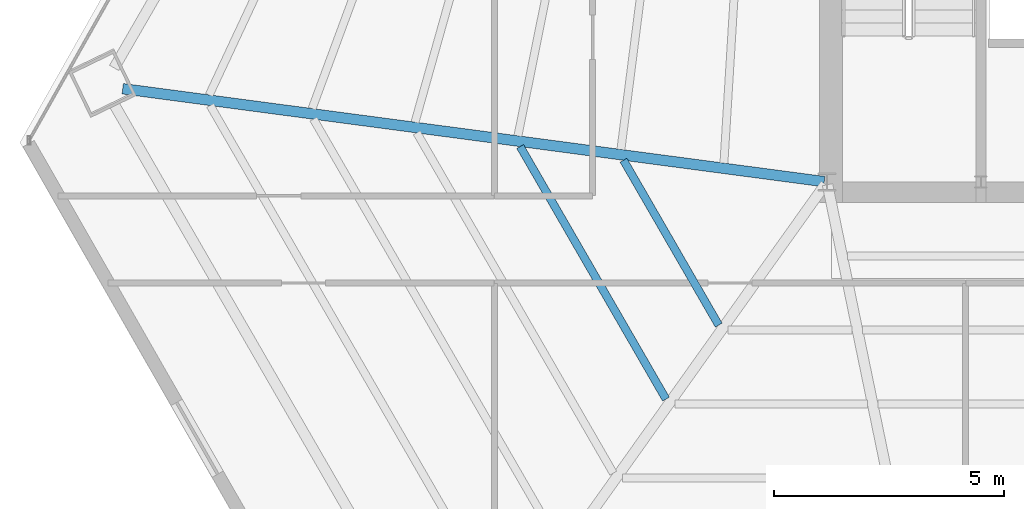
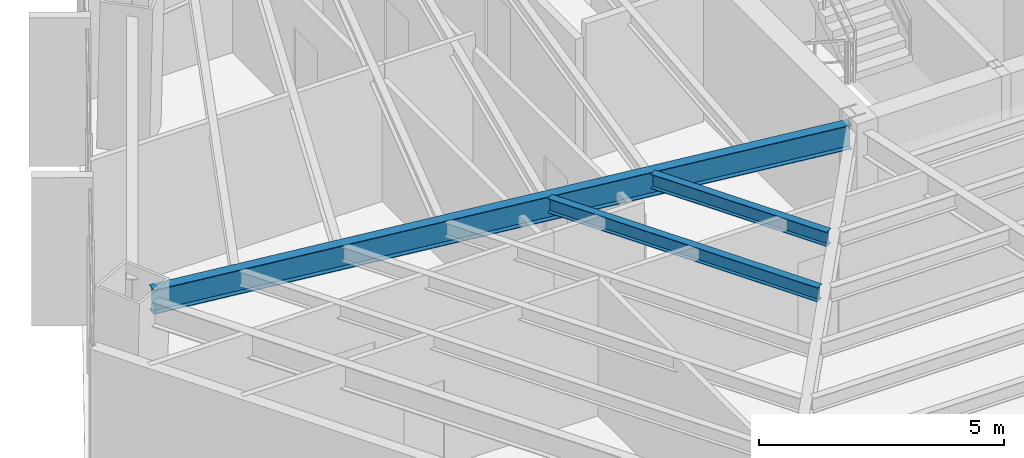
# One storey, part 7 of 35: 3 beams.
"""IFC4 building model written with IfcOpenShell, lengths in metres."""

import ifcopenshell
import ifcopenshell.guid

model = None  # the IFC model being written
_history = None  # IfcOwnerHistory: only IFC2X3 demands one
_inside = {}  # id of a spatial element -> (the spatial element, [elements in it])
_under = {}  # id of a project, library or spatial element -> (it, [spatial elements below it])
_declared = {}  # id of a project -> (the project, [libraries it declares])
_typed = {}  # id of a type object -> (the type object, [elements of that type])
_made_of = {}  # id of a material, layer set ... -> (it, [elements and type objects made of it])


def new_model(schema):
    """Start an empty IFC model of exactly this schema.

    Asked for "IFC4X3", IfcOpenShell would pick the latest addendum, in which some entities
    have other attributes; the version numbers below select the first issue.
    IFC2X3 requires an IfcOwnerHistory on every rooted entity: one is made here for all.
    """
    global model, _history
    if schema == "IFC4X3":
        model = ifcopenshell.file(schema_version=(4, 3, 0, 0))
    else:
        model = ifcopenshell.file(schema=schema)
    _inside.clear()
    _under.clear()
    _declared.clear()
    _typed.clear()
    _made_of.clear()
    _history = None
    if model.schema == "IFC2X3":
        org = make("IfcOrganization", Name="unknown")
        user = make(
            "IfcPersonAndOrganization",
            ThePerson=make("IfcPerson", FamilyName="unknown"),
            TheOrganization=org,
        )
        app = make(
            "IfcApplication",
            ApplicationDeveloper=org,
            Version="unknown",
            ApplicationFullName="unknown",
            ApplicationIdentifier="unknown",
        )
        _history = make(
            "IfcOwnerHistory",
            OwningUser=user,
            OwningApplication=app,
            ChangeAction="ADDED",
            CreationDate=0,
        )
    return model


def make(cls, **values):
    """One entity of the class cls with the attributes given. An attribute that is None is left unset."""
    return model.create_entity(
        cls, **{name: value for name, value in values.items() if value is not None}
    )


def rooted(cls, **values):
    """An entity with a GlobalId (a new one), such as an element, a storey or a relation."""
    return make(cls, GlobalId=ifcopenshell.guid.new(), OwnerHistory=_history, **values)


def si_unit(unit_type, name, prefix=None):
    """IfcSIUnit, for example si_unit("LENGTHUNIT", "METRE", prefix="MILLI")."""
    return make("IfcSIUnit", UnitType=unit_type, Prefix=prefix, Name=name)


def assignment(units):
    """IfcUnitAssignment: the units of a project."""
    return None if units is None else make("IfcUnitAssignment", Units=units)


def point(xyz):
    """IfcCartesianPoint."""
    return None if xyz is None else make("IfcCartesianPoint", Coordinates=xyz)


def direction(xyz):
    """IfcDirection."""
    return None if xyz is None else make("IfcDirection", DirectionRatios=xyz)


def frame(location, z_axis=None, x_axis=None):
    """IfcAxis2Placement3D, a coordinate frame: its origin and axes. An axis left out is left unset."""
    return make(
        "IfcAxis2Placement3D",
        Location=point(location),
        Axis=direction(z_axis),
        RefDirection=direction(x_axis),
    )


def frame_2d(location, x_axis=None):
    """IfcAxis2Placement2D, a coordinate frame in the plane: its origin and x axis."""
    return make(
        "IfcAxis2Placement2D", Location=point(location), RefDirection=direction(x_axis)
    )


def origin():
    """The frame at (0, 0, 0) with its axes left unset."""
    return frame((0.0, 0.0, 0.0))


def origin_2d():
    """The frame at (0, 0) in the plane with its x axis left unset."""
    return frame_2d((0.0, 0.0))


def place(relative_to, where):
    """IfcLocalPlacement: puts the frame where relative to a parent placement (None: the world)."""
    return make(
        "IfcLocalPlacement", PlacementRelTo=relative_to, RelativePlacement=where
    )


def context(
    kind, dimensions, precision=None, world=None, true_north=None, identifier=None
):
    """IfcGeometricRepresentationContext, for example the 3D "Model" context."""
    return make(
        "IfcGeometricRepresentationContext",
        ContextIdentifier=identifier,
        ContextType=kind,
        CoordinateSpaceDimension=dimensions,
        Precision=precision,
        WorldCoordinateSystem=world,
        TrueNorth=true_north,
    )


def subcontext(parent, identifier, kind, view, scale=None):
    """IfcGeometricRepresentationSubContext, for example "Body" below "Model"."""
    return make(
        "IfcGeometricRepresentationSubContext",
        ContextIdentifier=identifier,
        ContextType=kind,
        ParentContext=parent,
        TargetScale=scale,
        TargetView=view,
    )


def project(units=None, contexts=None):
    """IfcProject with its units and contexts."""
    return rooted(
        "IfcProject",
        Name="project",
        RepresentationContexts=contexts,
        UnitsInContext=assignment(units),
    )


def spatial(cls, under=None, at=None, **own):
    """A site, building, storey or space (cls), placed at a placement, below another one or the project."""
    s = rooted(cls, ObjectPlacement=at, **own)
    if under is not None:
        _under.setdefault(under.id(), (under, []))[1].append(s)
    return s


def profile(cls, at=None, kind="AREA", **sizes):
    """A parametric profile (cls). Its sizes go by their IFC names, for example OverallWidth=200.0."""
    return make(cls, ProfileType=kind, Position=at, **sizes)


def i_section(**sizes):
    """IfcIShapeProfileDef."""
    return profile("IfcIShapeProfileDef", **sizes)


def extrude(swept, where, along, depth):
    """IfcExtrudedAreaSolid: the profile swept, set in the frame where, extruded along a direction by depth."""
    return make(
        "IfcExtrudedAreaSolid",
        SweptArea=swept,
        Position=where,
        ExtrudedDirection=direction(along),
        Depth=depth,
    )


def shape(context_of_items, identifier, shape_type, items):
    """IfcShapeRepresentation: the items that make up one representation, for example the "Body"."""
    return make(
        "IfcShapeRepresentation",
        ContextOfItems=context_of_items,
        RepresentationIdentifier=identifier,
        RepresentationType=shape_type,
        Items=items,
    )


def source(mapping_origin, context_of_items, identifier, shape_type, items):
    """IfcRepresentationMap: a shape defined once, which mapped items show again and again."""
    return make(
        "IfcRepresentationMap",
        MappingOrigin=mapping_origin,
        MappedRepresentation=shape(context_of_items, identifier, shape_type, items),
    )


def transform(
    local_origin,
    x_axis=None,
    y_axis=None,
    z_axis=None,
    scale=None,
    scale2=None,
    scale3=None,
    uniform=True,
):
    """IfcCartesianTransformationOperator3D, or its non-uniform kind. x_axis, y_axis, z_axis: its Axis1, 2, 3."""
    if uniform:
        return make(
            "IfcCartesianTransformationOperator3D",
            Axis1=direction(x_axis),
            Axis2=direction(y_axis),
            LocalOrigin=point(local_origin),
            Scale=scale,
            Axis3=direction(z_axis),
        )
    return make(
        "IfcCartesianTransformationOperator3DnonUniform",
        Axis1=direction(x_axis),
        Axis2=direction(y_axis),
        LocalOrigin=point(local_origin),
        Scale=scale,
        Axis3=direction(z_axis),
        Scale2=scale2,
        Scale3=scale3,
    )


def mapped(mapping_source, mapping_target):
    """IfcMappedItem: shows the shape of a source again, moved by a transform."""
    return make(
        "IfcMappedItem", MappingSource=mapping_source, MappingTarget=mapping_target
    )


def material(Name=None, Category=None):
    """IfcMaterial."""
    return make("IfcMaterial", Name=Name, Category=Category)


def material_profile(
    of_material, cross_section, Name=None, Category=None, Priority=None
):
    """IfcMaterialProfile: a cross section and its material."""
    return make(
        "IfcMaterialProfile",
        Name=Name,
        Material=of_material,
        Profile=cross_section,
        Priority=Priority,
        Category=Category,
    )


def profile_set(profiles, Name=None, composite=None):
    """IfcMaterialProfileSet."""
    return make(
        "IfcMaterialProfileSet",
        Name=Name,
        MaterialProfiles=profiles,
        CompositeProfile=composite,
    )


def made_of(thing, what):
    """Note that an element or type object is made of a material, layer set ...; save() writes the relation."""
    if what is not None:
        _made_of.setdefault(what.id(), (what, []))[1].append(thing)
    return thing


def type_object(cls, material=None, **own):
    """A type object (cls), such as IfcWallType, which elements share."""
    return made_of(rooted(cls, **own), material)


def type_shapes(of_type, sources):
    """Give a type object the sources (RepresentationMaps) that its elements show as mapped items."""
    of_type.RepresentationMaps = sources


def element(
    cls,
    number,
    at=None,
    inside=None,
    cuts=None,
    type_object=None,
    material=None,
    context=None,
    identifier="Body",
    shape_type=None,
    held_by="IfcProductDefinitionShape",
    body=None,
    shapes=None,
    **own,
):
    """One element of the class cls, such as IfcWall. Its Tag is "e" and its number.

    at: its placement. inside: the storey or other place that contains it. cuts: it is an
    opening in that element (IfcRelVoidsElement). A single representation is given by context,
    identifier, shape_type and body (its items); several are given by shapes. held_by: the class
    of the entity that holds the representations. save() writes the other relations.
    """
    e = rooted(cls, Tag="e%d" % number, ObjectPlacement=at, **own)
    if body is not None:
        shapes = [shape(context, identifier, shape_type, body)]
    if shapes is not None:
        e.Representation = make(held_by, Representations=shapes)
    if inside is not None:
        _inside.setdefault(inside.id(), (inside, []))[1].append(e)
    if cuts is not None:
        rooted(
            "IfcRelVoidsElement", RelatingBuildingElement=cuts, RelatedOpeningElement=e
        )
    if type_object is not None:
        _typed.setdefault(type_object.id(), (type_object, []))[1].append(e)
    return made_of(e, material)


def aggregate(whole, parts):
    """IfcRelAggregates: a whole, such as a stair, and the parts it consists of."""
    return rooted("IfcRelAggregates", RelatingObject=whole, RelatedObjects=parts)


def save(model, path):
    """Write the relations noted so far, then the file.

    IfcRelAggregates (storeys below a building ...), IfcRelContainedInSpatialStructure (elements
    in a storey), IfcRelDefinesByType, IfcRelAssociatesMaterial and IfcRelDeclares: one each for
    every whole, place, type object, material and project.
    """
    for whole, parts in _under.values():
        aggregate(whole, parts)
    for where, things in _inside.values():
        rooted(
            "IfcRelContainedInSpatialStructure",
            RelatedElements=things,
            RelatingStructure=where,
        )
    for kind, things in _typed.values():
        rooted("IfcRelDefinesByType", RelatedObjects=things, RelatingType=kind)
    for what, things in _made_of.values():
        rooted("IfcRelAssociatesMaterial", RelatedObjects=things, RelatingMaterial=what)
    for by, libraries in _declared.values():
        rooted("IfcRelDeclares", RelatingContext=by, RelatedDefinitions=libraries)
    model.write(path)


model = new_model("IFC4")

# Units and contexts
model_context = context("Model", 3, precision=1e-05, world=origin(), true_north=direction((0.0, 1.0)))
body_context = subcontext(model_context, "Body", "Model", "MODEL_VIEW")
ifc_project = project(units=[si_unit("LENGTHUNIT", "METRE"), si_unit("AREAUNIT", "SQUARE_METRE"), si_unit("VOLUMEUNIT", "CUBIC_METRE"), si_unit("PLANEANGLEUNIT", "RADIAN"), si_unit("MASSUNIT", "GRAM", prefix="KILO")], contexts=[model_context])

# Site, building, storey
site_placement = place(None, origin())
site = spatial("IfcSite", under=ifc_project, at=site_placement, CompositionType="ELEMENT")
building_placement = place(site_placement, origin())
building = spatial("IfcBuilding", under=site, at=building_placement, Name="Caelisora Broadcast Tower", CompositionType="ELEMENT")
storey_placement = place(building_placement, frame((0.0, 0.0, 90.800048828125)))
storey = spatial("IfcBuildingStorey", under=building, at=storey_placement, Name="L23", CompositionType="ELEMENT", Elevation=90.800048828125)

# Beams
ifc_material = material(Name="Steel Grade 350 (AS/NZS 3679.1)", Category="steel")
ifc_material_profile_1 = material_profile(ifc_material, i_section(OverallWidth=0.22802734375, OverallDepth=0.602294921875, WebThickness=0.010498046875, FlangeThickness=0.014892578125, at=origin_2d()), Name="Steel Grade 350 (AS/NZS 3679.1)")
ifc_profile_set_1 = profile_set([ifc_material_profile_1], Name="Steel Grade 350 (AS/NZS 3679.1)")
beam_type_1 = type_object("IfcBeamType", Name="PG04", PredefinedType="BEAM", material=ifc_profile_set_1)
shared_shape_1 = source(origin(), body_context, "Body", "SweptSolid", [
    extrude(i_section(OverallWidth=0.22802734375, OverallDepth=0.602294921875, WebThickness=0.010498046875, FlangeThickness=0.014892578125, at=origin_2d()), origin(), (0.0, 0.0, 1.0), 15.404541015625),
])
type_shapes(beam_type_1, [shared_shape_1])
beam_1_placement = place(storey_placement, frame((30.4404296875, 17.407958984375, 3.098876953125), z_axis=(-0.991339935161, 0.131320725532, 0.0), x_axis=(-0.131320725532, -0.991339935161, 0.0)))
element("IfcBeam", 1, at=beam_1_placement, inside=storey, type_object=beam_type_1, Name="L23 beam PG04", PredefinedType="BEAM", context=body_context, shape_type="MappedRepresentation", body=[
    mapped(shared_shape_1, transform((0.0, 0.0, 0.0), scale=1.0)),
])
ifc_material_profile_2 = material_profile(ifc_material, i_section(OverallWidth=0.172119140625, OverallDepth=0.358642578125, WebThickness=0.008056640625, FlangeThickness=0.012939453125, at=origin_2d()), Name="Steel Grade 350 (AS/NZS 3679.1)")
ifc_profile_set_2 = profile_set([ifc_material_profile_2], Name="Steel Grade 350 (AS/NZS 3679.1)")
beam_type_2 = type_object("IfcBeamType", Name="SB02", PredefinedType="JOIST", material=ifc_profile_set_2)
shared_shape_2 = source(origin(), body_context, "Body", "SweptSolid", [
    extrude(i_section(OverallWidth=0.172119140625, OverallDepth=0.358642578125, WebThickness=0.008056640625, FlangeThickness=0.012939453125, at=origin_2d()), origin(), (0.0, 0.0, 1.0), 4.145263671875),
])
beam_2_placement = place(storey_placement, frame((26.0712890625, 17.8740234375, 3.220703125), z_axis=(0.499984170012, -0.866034543039, 0.0), x_axis=(0.866034543039, 0.499984170012, 0.0)))
element("IfcBeam", 2, at=beam_2_placement, inside=storey, type_object=beam_type_2, Name="L23 beam SB02", PredefinedType="JOIST", context=body_context, shape_type="MappedRepresentation", body=[
    mapped(shared_shape_2, transform((0.0, 0.0, 0.0), scale=1.0)),
])
shared_shape_3 = source(origin(), body_context, "Body", "SweptSolid", [
    extrude(i_section(OverallWidth=0.172119140625, OverallDepth=0.358642578125, WebThickness=0.008056640625, FlangeThickness=0.012939453125, at=origin_2d()), origin(), (0.0, 0.0, 1.0), 6.349365234375),
])
type_shapes(beam_type_2, [shared_shape_2, shared_shape_3])
beam_3_placement = place(storey_placement, frame((23.821533203125, 18.172119140625, 3.220703125), z_axis=(0.500009801578, -0.866019744767, 0.0), x_axis=(0.866019744767, 0.500009801578, 0.0)))
element("IfcBeam", 3, at=beam_3_placement, inside=storey, type_object=beam_type_2, Name="L23 beam SB02", PredefinedType="JOIST", context=body_context, shape_type="MappedRepresentation", body=[
    mapped(shared_shape_3, transform((0.0, 0.0, 0.0), scale=1.0)),
])

save(model, "model.ifc")
